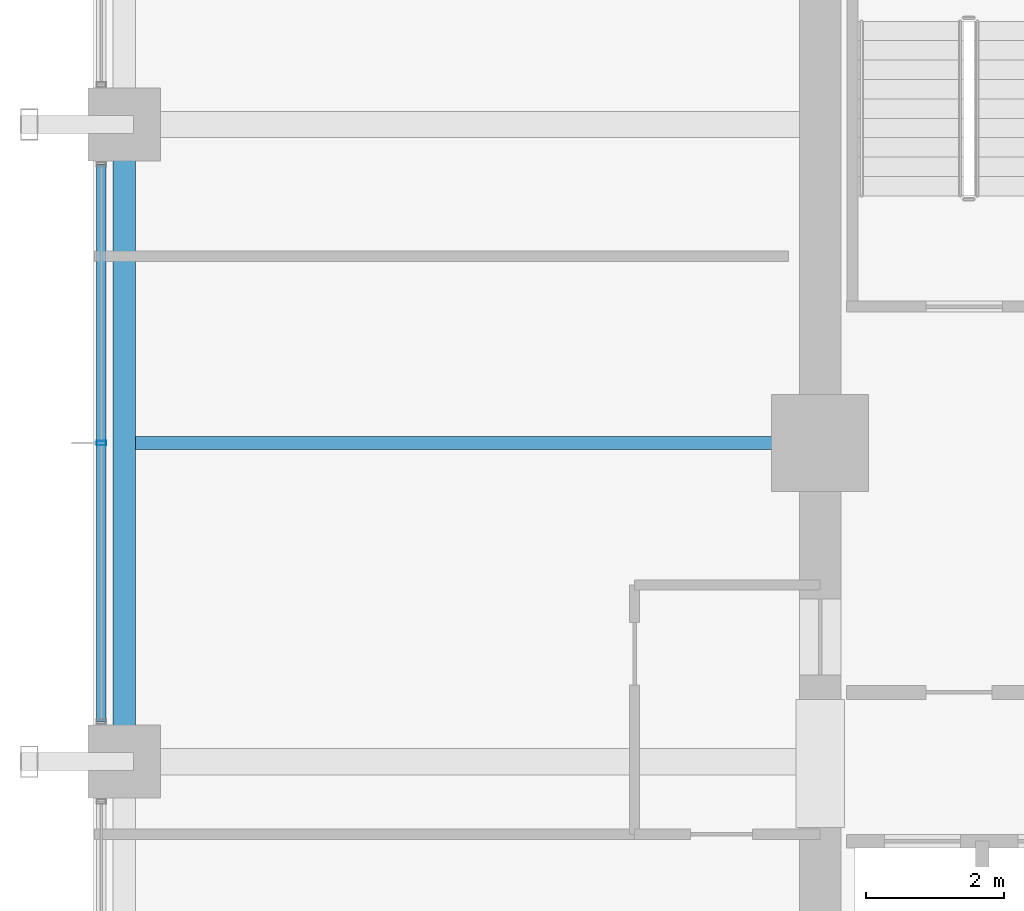
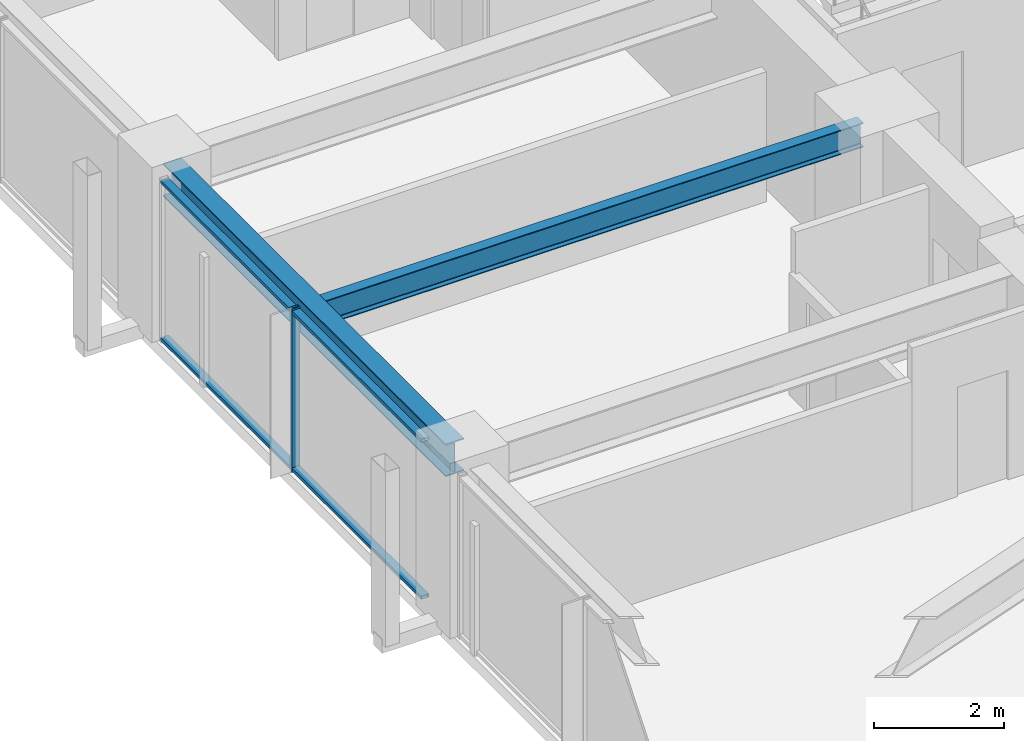
# One storey, part 9 of 38: 3 members, 2 beams, 1 element without a shape of its own.
"""IFC4 building model written with IfcOpenShell, lengths in metres."""

from ifc_helpers import new_model, si_unit, direction, frame, origin, origin_2d, place, context, subcontext, project, spatial, hollow_rectangle, i_section, extrude, material, material_profile, profile_set, type_object, element, aggregate, save


model = new_model("IFC4")

# Units and contexts
model_context = context("Model", 3, precision=1e-05, world=origin(), true_north=direction((0.0, 1.0)))
body_context = subcontext(model_context, "Body", "Model", "MODEL_VIEW")
ifc_project = project(units=[si_unit("LENGTHUNIT", "METRE"), si_unit("AREAUNIT", "SQUARE_METRE"), si_unit("VOLUMEUNIT", "CUBIC_METRE"), si_unit("PLANEANGLEUNIT", "RADIAN"), si_unit("MASSUNIT", "GRAM", prefix="KILO")], contexts=[model_context])

# Site, building, storey
site_placement = place(None, origin())
site = spatial("IfcSite", under=ifc_project, at=site_placement, CompositionType="ELEMENT")
building_placement = place(site_placement, origin())
building = spatial("IfcBuilding", under=site, at=building_placement, Name="Kolvaren Belvedere", CompositionType="ELEMENT")
storey_placement = place(building_placement, frame((0.0, 0.0, 78.800048828125)))
storey = spatial("IfcBuildingStorey", under=building, at=storey_placement, Name="L22", CompositionType="ELEMENT", Elevation=78.800048828125)

# Beams
ifc_material_1 = material(Name="Structural steel ASTM A992 Grade 50", Category="steel")
ifc_material_profile_1 = material_profile(ifc_material_1, i_section(OverallWidth=0.19091796875, OverallDepth=0.4599609375, WebThickness=0.010009765625, FlangeThickness=0.01611328125, FilletRadius=0.014892578125, at=origin_2d()), Name="W18X55")
ifc_profile_set_1 = profile_set([ifc_material_profile_1], Name="Structural steel ASTM A992 Grade 50")
beam_type_1 = type_object("IfcBeamType", Name="BM-JOIST-W18X55", PredefinedType="BEAM", material=ifc_profile_set_1)
beam_1_placement = place(storey_placement, frame((-10.199951171875, 0.0, 2.849853515625), z_axis=(-1.0, 0.0, 0.0), x_axis=(0.0, -1.0, 0.0)))
element("IfcBeam", 1, at=beam_1_placement, inside=storey, type_object=beam_type_1, Name="L22 West Centre Floor Beam", PredefinedType="BEAM", context=body_context, shape_type="SweptSolid", body=[
    extrude(i_section(OverallWidth=0.19091796875, OverallDepth=0.4599609375, WebThickness=0.010009765625, FlangeThickness=0.01611328125, FilletRadius=0.014892578125, at=origin_2d()), origin(), (0.0, 0.0, 1.0), 9.587646484375),
])
ifc_material_2 = material(Name="Structural steel ASTM A992 Grade 50", Category="steel")
ifc_material_profile_2 = material_profile(ifc_material_2, i_section(OverallWidth=0.324951171875, OverallDepth=0.615966796875, WebThickness=0.013916015625, FlangeThickness=0.021484375, FilletRadius=0.02001953125, at=origin_2d()), Name="W24X117")
ifc_profile_set_2 = profile_set([ifc_material_profile_2], Name="Structural steel ASTM A992 Grade 50")
beam_type_2 = type_object("IfcBeamType", Name="BM-SPAN-W24X117", PredefinedType="SPANDREL", material=ifc_profile_set_2)
beam_2_placement = place(storey_placement, frame((-19.949951171875, 4.36376953125, 2.77197265625), z_axis=(0.0, -1.0, 0.0), x_axis=(1.0, 0.0, 0.0)))
element("IfcBeam", 2, at=beam_2_placement, inside=storey, type_object=beam_type_2, Name="L22 Perimeter Spandrel W3-W2", PredefinedType="SPANDREL", context=body_context, shape_type="SweptSolid", body=[
    extrude(i_section(OverallWidth=0.324951171875, OverallDepth=0.615966796875, WebThickness=0.013916015625, FlangeThickness=0.021484375, FilletRadius=0.02001953125, at=origin_2d()), origin(), (0.0, 0.0, 1.0), 8.7275390625),
])

# Curtain wall, members
ifc_material_3 = material(Name="Anodised pale-metal aluminium AA 6063-T6", Category="aluminium")
curtain_wall_type = type_object("IfcCurtainWallType", Name="CW-Z2-MID", PredefinedType="NOTDEFINED", material=ifc_material_3)
curtain_wall_placement = place(storey_placement, origin())
curtain_wall = element("IfcCurtainWall", 3, at=curtain_wall_placement, inside=storey, type_object=curtain_wall_type, Name="L22 Unitised Curtain Wall FCW-L22-W-B2", PredefinedType="NOTDEFINED")
ifc_material_4 = material(Name="Anodised pale-metal aluminium AA 6063-T6", Category="aluminium")
ifc_material_profile_3 = material_profile(ifc_material_4, hollow_rectangle(XDim=0.06494140625, YDim=0.139892578125, WallThickness=0.00390625, at=origin_2d()), Name="ALU-MUL-140X65")
ifc_profile_set_3 = profile_set([ifc_material_profile_3], Name="Anodised pale-metal aluminium AA 6063-T6")
member_type_1 = type_object("IfcMemberType", Name="CW-MUL-140", PredefinedType="MULLION", material=ifc_profile_set_3)
member_1_placement = place(storey_placement, frame((-20.280029296875, 0.0, 0.0), z_axis=(0.0, 0.0, 1.0), x_axis=(0.0, 1.0, 0.0)))
member_1 = element("IfcMember", 4, at=member_1_placement, type_object=member_type_1, Name="FCW-L22-W-B2 Unitised Mullion 2", PredefinedType="MULLION", context=body_context, shape_type="SweptSolid", body=[
    extrude(hollow_rectangle(XDim=0.06494140625, YDim=0.139892578125, WallThickness=0.00390625, at=origin_2d()), origin(), (0.0, 0.0, 1.0), 3.079833984375),
])
ifc_material_5 = material(Name="Anodised pale-metal aluminium AA 6063-T6", Category="aluminium")
ifc_material_profile_4 = material_profile(ifc_material_5, hollow_rectangle(XDim=0.06005859375, YDim=0.139892578125, WallThickness=0.00390625, at=origin_2d()), Name="ALU-TRN-140X60")
ifc_profile_set_4 = profile_set([ifc_material_profile_4], Name="Anodised pale-metal aluminium AA 6063-T6")
member_type_2 = type_object("IfcMemberType", Name="CW-TRN-140", PredefinedType="USERDEFINED", material=ifc_profile_set_4)
member_2_placement = place(storey_placement, frame((-20.280029296875, -4.0224609375, 0.06005859375), z_axis=(0.0, 1.0, 0.0), x_axis=(0.0, 0.0, 1.0)))
member_2 = element("IfcMember", 5, at=member_2_placement, type_object=member_type_2, Name="FCW-L22-W-B2 Sill Transom", ObjectType="TRANSOM", PredefinedType="USERDEFINED", context=body_context, shape_type="SweptSolid", body=[
    extrude(hollow_rectangle(XDim=0.06005859375, YDim=0.139892578125, WallThickness=0.00390625, at=origin_2d()), origin(), (0.0, 0.0, 1.0), 8.044921875),
])
member_3_placement = place(storey_placement, frame((-20.280029296875, -4.0224609375, 3.02001953125), z_axis=(0.0, 1.0, 0.0), x_axis=(0.0, 0.0, 1.0)))
member_3 = element("IfcMember", 6, at=member_3_placement, type_object=member_type_2, Name="FCW-L22-W-B2 Head Transom", ObjectType="TRANSOM", PredefinedType="USERDEFINED", context=body_context, shape_type="SweptSolid", body=[
    extrude(hollow_rectangle(XDim=0.06005859375, YDim=0.139892578125, WallThickness=0.00390625, at=origin_2d()), origin(), (0.0, 0.0, 1.0), 8.044921875),
])
aggregate(curtain_wall, [member_1, member_2, member_3])

save(model, "model.ifc")
